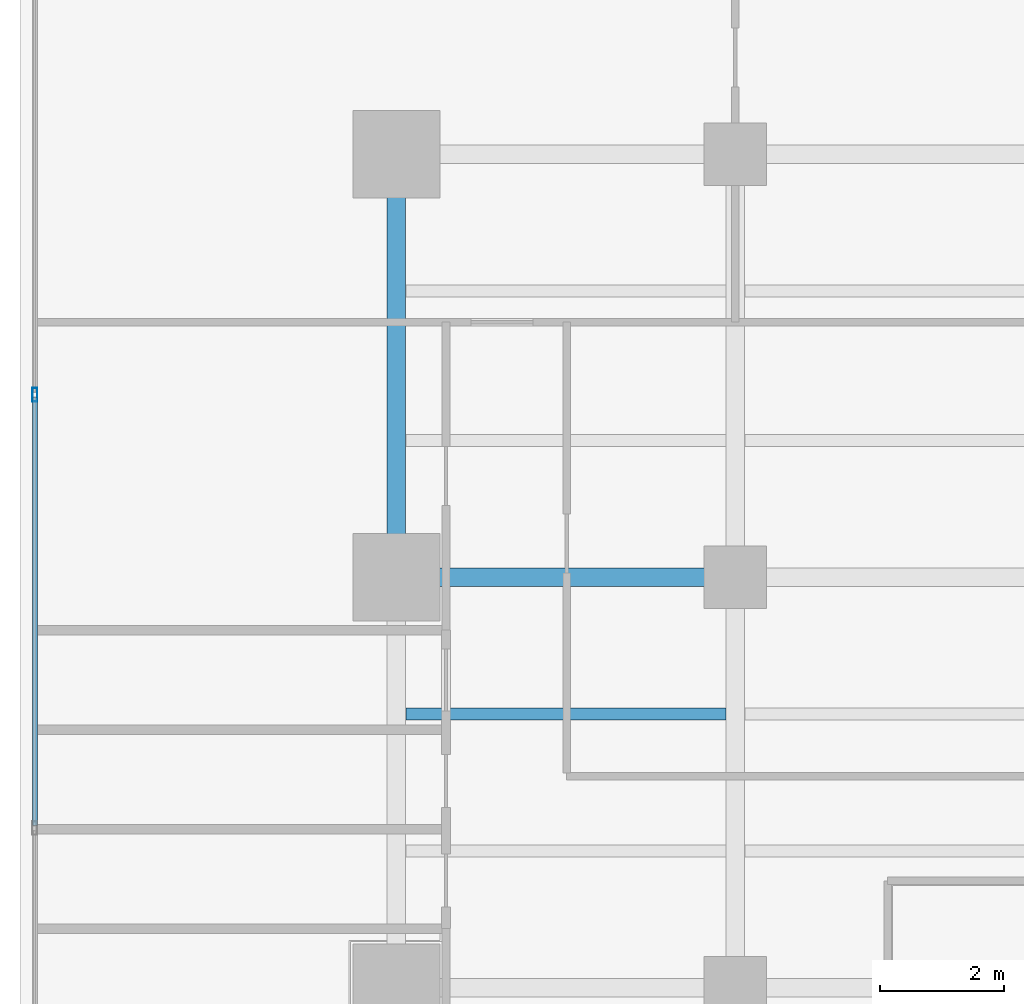
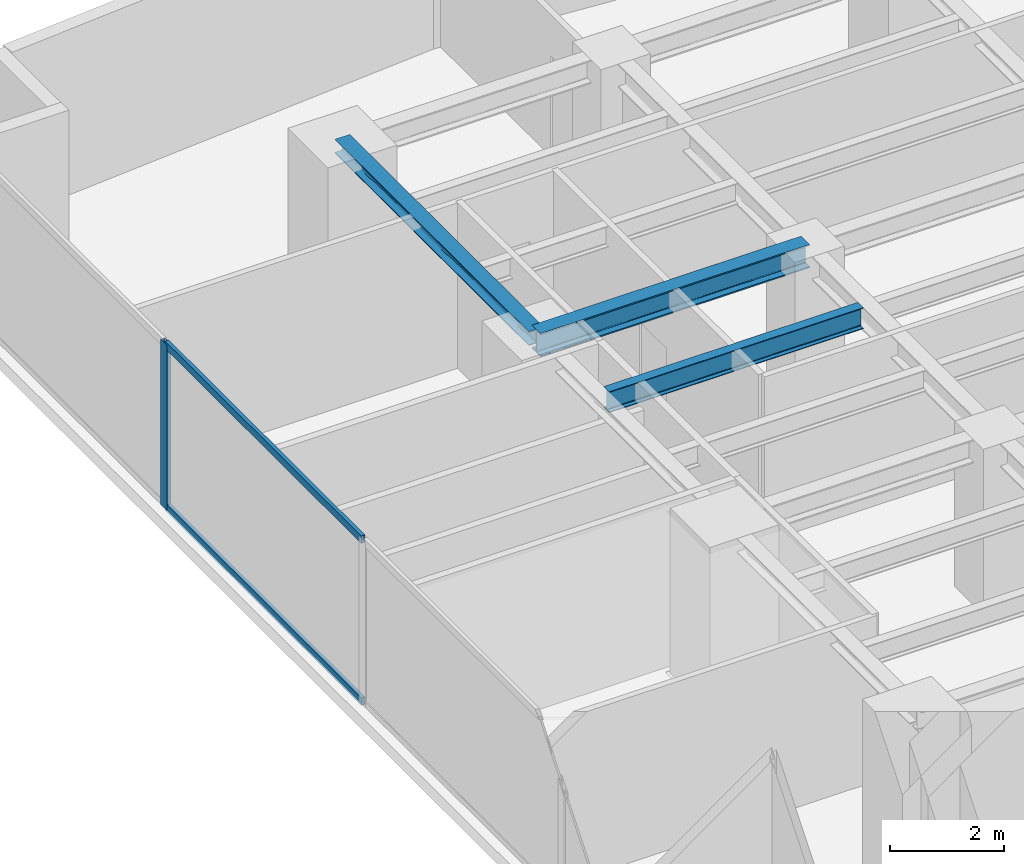
# One storey, part 15 of 28: 3 beams, 3 members, 1 element without a shape of its own.
"""IFC4 building model written with IfcOpenShell, lengths in metres."""

from ifc_helpers import new_model, si_unit, direction, frame, origin, origin_with_axes, origin_2d, place, context, subcontext, project, spatial, hollow_rectangle, i_section, extrude, source, transform, mapped, material, layer, layer_set, material_profile, profile_set, type_object, element, aggregate, save


model = new_model("IFC4")

# Units and contexts
model_context = context("Model", 3, precision=1e-05, world=origin(), true_north=direction((0.0, 1.0)))
body_context = subcontext(model_context, "Body", "Model", "MODEL_VIEW")
ifc_project = project(units=[si_unit("LENGTHUNIT", "METRE"), si_unit("AREAUNIT", "SQUARE_METRE"), si_unit("VOLUMEUNIT", "CUBIC_METRE"), si_unit("PLANEANGLEUNIT", "RADIAN"), si_unit("MASSUNIT", "GRAM", prefix="KILO")], contexts=[model_context])

# Site, building, storey
site_placement = place(None, origin())
site = spatial("IfcSite", under=ifc_project, at=site_placement, CompositionType="ELEMENT")
building_placement = place(site_placement, origin())
building = spatial("IfcBuilding", under=site, at=building_placement, Name="Kolvaren Waterfront Exchange", CompositionType="ELEMENT")
storey_placement = place(building_placement, frame((0.0, 0.0, 133.5)))
storey = spatial("IfcBuildingStorey", under=building, at=storey_placement, Name="L34", CompositionType="ELEMENT", Elevation=133.5)

# Beams
ifc_material_1 = material(Name="Steel S355", Category="steel")
ifc_material_profile_1 = material_profile(ifc_material_1, i_section(OverallWidth=0.300048828125, OverallDepth=0.300048828125, WebThickness=0.010986328125, FlangeThickness=0.01904296875, FilletRadius=0.027099609375, at=origin_2d()), Name="HEB300")
ifc_profile_set_1 = profile_set([ifc_material_profile_1], Name="Steel S355")
beam_type_1 = type_object("IfcBeamType", Name="STR-BM-HEB300", PredefinedType="SPANDREL", material=ifc_profile_set_1)
beam_1_placement = place(storey_placement, frame((7.449951171875, 37.800048828125, 3.389892578125), z_axis=(0.0, 1.0, 0.0), x_axis=(-1.0, 0.0, 0.0)))
element("IfcBeam", 1, at=beam_1_placement, inside=storey, type_object=beam_type_1, Name="L34 north-arm edge beam 3", PredefinedType="SPANDREL", context=body_context, shape_type="SweptSolid", body=[
    extrude(i_section(OverallWidth=0.300048828125, OverallDepth=0.300048828125, WebThickness=0.010986328125, FlangeThickness=0.01904296875, FilletRadius=0.027099609375, at=origin_2d()), origin(), (0.0, 0.0, 1.0), 6.800048828125),
])
ifc_material_profile_2 = material_profile(ifc_material_1, i_section(OverallWidth=0.300048828125, OverallDepth=0.5, WebThickness=0.014404296875, FlangeThickness=0.028076171875, FilletRadius=0.027099609375, at=origin_2d()), Name="HEB500")
ifc_profile_set_2 = profile_set([ifc_material_profile_2], Name="Steel S355")
beam_type_2 = type_object("IfcBeamType", Name="STR-BM-HEB500", PredefinedType="BEAM", material=ifc_profile_set_2)
beam_2_placement = place(storey_placement, frame((7.449951171875, 37.800048828125, 3.2900390625), z_axis=(1.0, 0.0, 0.0), x_axis=(0.0, 1.0, 0.0)))
element("IfcBeam", 2, at=beam_2_placement, inside=storey, type_object=beam_type_2, Name="L34 north-arm girder 3A", PredefinedType="BEAM", context=body_context, shape_type="SweptSolid", body=[
    extrude(i_section(OverallWidth=0.300048828125, OverallDepth=0.5, WebThickness=0.014404296875, FlangeThickness=0.028076171875, FilletRadius=0.027099609375, at=origin_2d()), origin(), (0.0, 0.0, 1.0), 5.449951171875),
])
ifc_material_profile_3 = material_profile(ifc_material_1, i_section(OverallWidth=0.18994140625, OverallDepth=0.449951171875, WebThickness=0.009521484375, FlangeThickness=0.0146484375, FilletRadius=0.02099609375, at=origin_2d()), Name="IPE450")
ifc_profile_set_3 = profile_set([ifc_material_profile_3], Name="Steel S355")
beam_type_3 = type_object("IfcBeamType", Name="STR-BM-IPE450", PredefinedType="JOIST", material=ifc_profile_set_3)
beam_3_placement = place(storey_placement, frame((7.60205078125, 35.60009765625, 3.31494140625), z_axis=(1.0, 0.0, 0.0), x_axis=(0.0, 1.0, 0.0)))
element("IfcBeam", 3, at=beam_3_placement, inside=storey, type_object=beam_type_3, Name="L34 north-arm composite joist 4A", PredefinedType="JOIST", context=body_context, shape_type="SweptSolid", body=[
    extrude(i_section(OverallWidth=0.18994140625, OverallDepth=0.449951171875, WebThickness=0.009521484375, FlangeThickness=0.0146484375, FilletRadius=0.02099609375, at=origin_2d()), origin(), (0.0, 0.0, 1.0), 5.14599609375),
])

# Curtain wall, members
ifc_material_2 = material(Name="Anodised aluminium 6063-T6", Category="aluminium")
ifc_layer = layer(ifc_material_2, 0.219970703125, Name="Anodised aluminium 6063-T6")
ifc_layer_set = layer_set([ifc_layer], Name="Anodised aluminium 6063-T6")
curtain_wall_type = type_object("IfcCurtainWallType", Name="ARC-CW-SYS2", PredefinedType="USERDEFINED", material=ifc_layer_set)
curtain_wall_placement = place(storey_placement, origin())
curtain_wall = element("IfcCurtainWall", 4, at=curtain_wall_placement, inside=storey, type_object=curtain_wall_type, Name="L34 stick curtain wall CW2 (CW-L34-W)", ObjectType="STICK CURTAIN WALL", PredefinedType="USERDEFINED")
ifc_material_profile_4 = material_profile(ifc_material_2, hollow_rectangle(XDim=0.080078125, YDim=0.219970703125, WallThickness=0.0048828125, at=origin_2d()), Name="ALU-MUL-220x80x5")
ifc_profile_set_4 = profile_set([ifc_material_profile_4], Name="Anodised aluminium 6063-T6")
member_type_1 = type_object("IfcMemberType", Name="ARC-CWM-220", PredefinedType="MULLION", material=ifc_profile_set_4)
shared_shape_1 = source(origin_with_axes(), body_context, "Body", "SweptSolid", [
    extrude(hollow_rectangle(XDim=0.080078125, YDim=0.219970703125, WallThickness=0.0048828125, at=origin_2d()), origin(), (0.0, 0.0, 1.0), 3.5400390625),
])
member_1_placement = place(storey_placement, frame((1.639892578125, 40.7333984375, 0.0), z_axis=(0.0, 0.0, 1.0), x_axis=(-1.0, 0.0, 0.0)))
member_1 = element("IfcMember", 5, at=member_1_placement, type_object=member_type_1, Name="CW2 mullion 6", PredefinedType="MULLION", context=body_context, shape_type="MappedRepresentation", body=[
    mapped(shared_shape_1, transform((0.0, 0.0, 0.0), x_axis=(1.0, 0.0, 0.0), y_axis=(0.0, 1.0, 0.0), z_axis=(0.0, 0.0, 1.0), scale=1.0)),
])
ifc_material_profile_5 = material_profile(ifc_material_2, hollow_rectangle(XDim=0.074951171875, YDim=0.159912109375, WallThickness=0.00439453125, at=origin_2d()), Name="ALU-TRN-160x75x4.5")
ifc_profile_set_5 = profile_set([ifc_material_profile_5], Name="Anodised aluminium 6063-T6")
member_type_2 = type_object("IfcMemberType", Name="ARC-CWT-160", PredefinedType="USERDEFINED", material=ifc_profile_set_5)
shared_shape_2 = source(origin_with_axes(), body_context, "Body", "SweptSolid", [
    extrude(hollow_rectangle(XDim=0.074951171875, YDim=0.159912109375, WallThickness=0.00439453125, at=origin_2d()), origin(), (0.0, 0.0, 1.0), 6.88671875),
])
member_2_placement = place(storey_placement, frame((1.639892578125, 33.806640625, 0.03759765625), z_axis=(0.0, 1.0, 0.0), x_axis=(-1.0, 0.0, 0.0)))
member_2 = element("IfcMember", 6, at=member_2_placement, type_object=member_type_2, Name="CW2 transom 5.1", ObjectType="TRANSOM", PredefinedType="USERDEFINED", context=body_context, shape_type="MappedRepresentation", body=[
    mapped(shared_shape_2, transform((0.0, 0.0, 0.0), x_axis=(1.0, 0.0, 0.0), y_axis=(0.0, 1.0, 0.0), z_axis=(0.0, 0.0, 1.0), scale=1.0)),
])
member_3_placement = place(storey_placement, frame((1.639892578125, 33.806640625, 3.50244140625), z_axis=(0.0, 1.0, 0.0), x_axis=(-1.0, 0.0, 0.0)))
member_3 = element("IfcMember", 7, at=member_3_placement, type_object=member_type_2, Name="CW2 transom 5.2", ObjectType="TRANSOM", PredefinedType="USERDEFINED", context=body_context, shape_type="MappedRepresentation", body=[
    mapped(shared_shape_2, transform((0.0, 0.0, 0.0), x_axis=(1.0, 0.0, 0.0), y_axis=(0.0, 1.0, 0.0), z_axis=(0.0, 0.0, 1.0), scale=1.0)),
])
aggregate(curtain_wall, [member_1, member_2, member_3])

save(model, "model.ifc")
